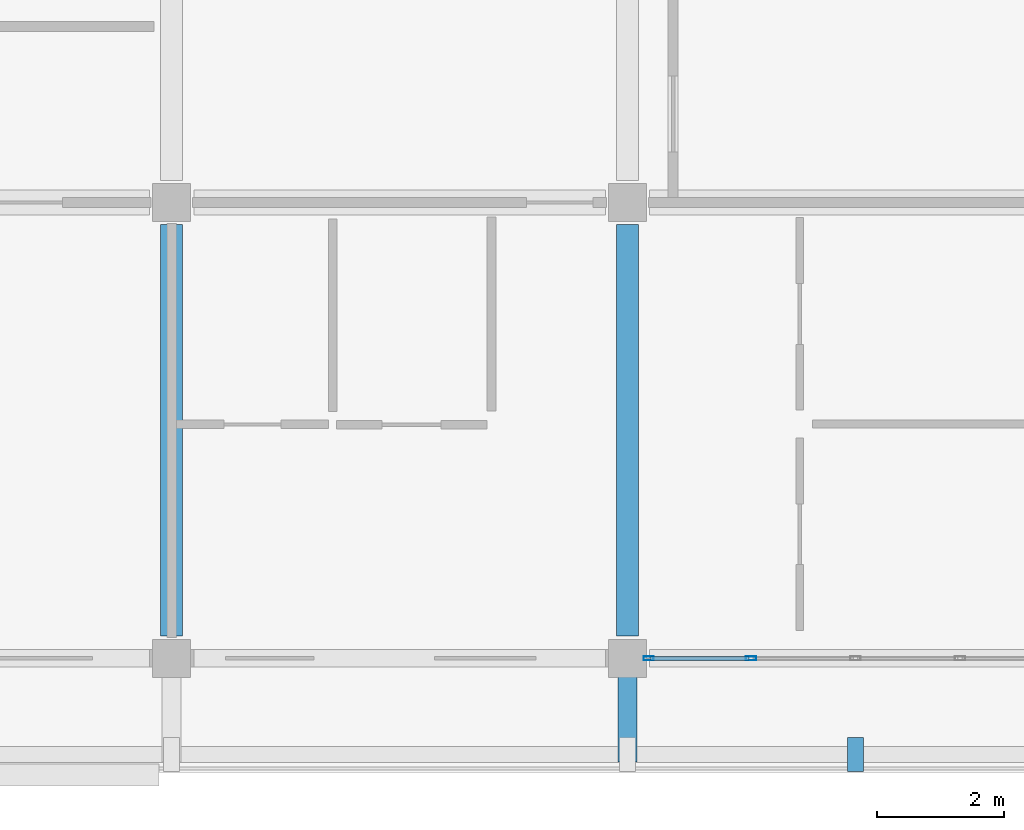
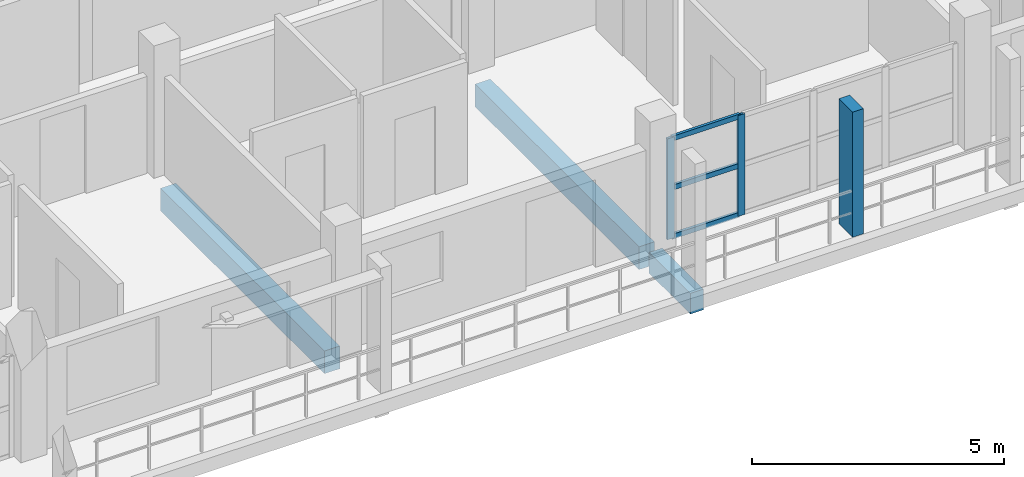
# One storey, part 79 of 157: 6 members, 3 beams, 1 element without a shape of its own.
"""IFC4 building model written with IfcOpenShell, lengths in metres."""

from ifc_helpers import new_model, si_unit, direction, frame, origin, origin_2d, place, context, subcontext, project, spatial, rectangle, hollow_rectangle, extrude, material, material_profile, profile_set, type_object, element, aggregate, save


model = new_model("IFC4")

# Units and contexts
model_context = context("Model", 3, precision=1e-05, world=origin(), true_north=direction((0.0, 1.0)))
body_context = subcontext(model_context, "Body", "Model", "MODEL_VIEW")
ifc_project = project(units=[si_unit("LENGTHUNIT", "METRE"), si_unit("AREAUNIT", "SQUARE_METRE"), si_unit("VOLUMEUNIT", "CUBIC_METRE"), si_unit("PLANEANGLEUNIT", "RADIAN"), si_unit("MASSUNIT", "GRAM", prefix="KILO")], contexts=[model_context])

# Site, building, storey
site_placement = place(None, origin())
site = spatial("IfcSite", under=ifc_project, at=site_placement, CompositionType="ELEMENT")
building_placement = place(site_placement, origin())
building = spatial("IfcBuilding", under=site, at=building_placement, Name="Suanplinth Sawtooth Commons", CompositionType="ELEMENT")
storey_placement = place(building_placement, frame((0.0, 0.0, 9.0)))
storey = spatial("IfcBuildingStorey", under=building, at=storey_placement, Name="L02", CompositionType="ELEMENT", Elevation=9.0)

# Beams
ifc_material_1 = material(Name="Precast concrete C40/50", Category="concrete")
ifc_material_profile_1 = material_profile(ifc_material_1, rectangle(XDim=0.35009765625, YDim=0.550048828125, at=origin_2d()), Name="PC-BM 350x550")
ifc_profile_set_1 = profile_set([ifc_material_profile_1], Name="Precast concrete C40/50")
beam_type_1 = type_object("IfcBeamType", Name="B-06", PredefinedType="BEAM", material=ifc_profile_set_1)
for number, where, z_axis, x_axis, name in (
    (1, (158.39990234375, 0.35009765625, -0.52490234375), (0.0, 1.0, 0.0), (-1.0, 0.0, 0.0), "BMY-L02-C-22-0"),
    (2, (165.60009765625, 0.35009765625, -0.52490234375), (0.0, 1.0, 0.0), (-1.0, 0.0, 0.0), "BMY-L02-C-23-0"),
):
    element("IfcBeam", number, at=place(storey_placement, frame(where, z_axis=z_axis, x_axis=x_axis)), inside=storey, type_object=beam_type_1, Name=name, PredefinedType="BEAM", context=body_context, shape_type="SweptSolid", body=[
        extrude(rectangle(XDim=0.35009765625, YDim=0.550048828125, at=origin_2d()), origin(), (0.0, 0.0, 1.0), 6.5),
    ])
ifc_material_profile_2 = material_profile(ifc_material_1, rectangle(XDim=0.300048828125, YDim=0.5, at=origin_2d()), Name="PC-BM 300x500")
ifc_profile_set_2 = profile_set([ifc_material_profile_2], Name="Precast concrete C40/50")
beam_type_2 = type_object("IfcBeamType", Name="B-07", PredefinedType="BEAM", material=ifc_profile_set_2)
beam_placement = place(storey_placement, frame((165.60009765625, 0.0, -0.429931640625), z_axis=(0.0, -1.0, 0.0), x_axis=(1.0, 0.0, 0.0)))
element("IfcBeam", 3, at=beam_placement, inside=storey, type_object=beam_type_2, Name="Balcony Outrigger L02-C-S-23", PredefinedType="BEAM", context=body_context, shape_type="SweptSolid", body=[
    extrude(rectangle(XDim=0.300048828125, YDim=0.5, at=origin_2d()), origin(), (0.0, 0.0, 1.0), 1.639892578125),
])

# Member
ifc_material_2 = material(Name="Pigmented precast concrete C40/50", Category="concrete")
ifc_material_profile_3 = material_profile(ifc_material_2, rectangle(XDim=0.25, YDim=0.5400390625, at=origin_2d()), Name="PC-FIN 250x540")
ifc_profile_set_3 = profile_set([ifc_material_profile_3], Name="Pigmented precast concrete C40/50")
member_type_1 = type_object("IfcMemberType", Name="M-11", PredefinedType="USERDEFINED", material=ifc_profile_set_3)
member_1_placement = place(storey_placement, frame((169.199951171875, -1.52001953125, 0.0), z_axis=(0.0, 0.0, 1.0), x_axis=(1.0, 0.0, 0.0)))
element("IfcMember", 4, at=member_1_placement, inside=storey, type_object=member_type_1, Name="Upright Solar Blade L02-C-S-07", ObjectType="SHADING FIN", PredefinedType="USERDEFINED", context=body_context, shape_type="SweptSolid", body=[
    extrude(rectangle(XDim=0.25, YDim=0.5400390625, at=origin_2d()), origin(), (0.0, 0.0, 1.0), 3.030029296875),
])

# Curtain wall, members
ifc_material_3 = material(Name="Anodized aluminium and low-E glazing", Category="aluminium")
curtain_wall_type = type_object("IfcCurtainWallType", Name="CW-06", PredefinedType="USERDEFINED", material=ifc_material_3)
curtain_wall_placement = place(storey_placement, origin())
curtain_wall = element("IfcCurtainWall", 5, at=curtain_wall_placement, inside=storey, type_object=curtain_wall_type, Name="Curtain Wall CW-L02-C-LOUNGE-23", ObjectType="CURTAIN WALL", PredefinedType="USERDEFINED")
ifc_material_4 = material(Name="Anodized aluminium 6063-T6", Category="aluminium")
ifc_material_profile_4 = material_profile(ifc_material_4, hollow_rectangle(XDim=0.06494140625, YDim=0.159912109375, WallThickness=0.00390625, at=origin_2d()), Name="ALU-MUL 65x160")
ifc_profile_set_4 = profile_set([ifc_material_profile_4], Name="Anodized aluminium 6063-T6")
member_type_2 = type_object("IfcMemberType", Name="M-13", PredefinedType="MULLION", material=ifc_profile_set_4)
member_2_placement = place(storey_placement, frame((165.9326171875, 0.0, 0.0), z_axis=(0.0, 0.0, 1.0), x_axis=(0.0, 1.0, 0.0)))
member_2 = element("IfcMember", 6, at=member_2_placement, type_object=member_type_2, Name="CW-06 mullion 1", PredefinedType="MULLION", context=body_context, shape_type="SweptSolid", body=[
    extrude(hollow_rectangle(XDim=0.06494140625, YDim=0.159912109375, WallThickness=0.00390625, at=origin_2d()), origin(), (0.0, 0.0, 1.0), 2.43994140625),
])
member_3_placement = place(storey_placement, frame((167.550048828125, 0.0, 0.0), z_axis=(0.0, 0.0, 1.0), x_axis=(0.0, 1.0, 0.0)))
member_3 = element("IfcMember", 7, at=member_3_placement, type_object=member_type_2, Name="CW-06 mullion 2", PredefinedType="MULLION", context=body_context, shape_type="SweptSolid", body=[
    extrude(hollow_rectangle(XDim=0.06494140625, YDim=0.159912109375, WallThickness=0.00390625, at=origin_2d()), origin(), (0.0, 0.0, 1.0), 2.43994140625),
])
ifc_material_profile_5 = material_profile(ifc_material_4, hollow_rectangle(XDim=0.06494140625, YDim=0.1201171875, WallThickness=0.00390625, at=origin_2d()), Name="ALU-TRN 65x120")
ifc_profile_set_5 = profile_set([ifc_material_profile_5], Name="Anodized aluminium 6063-T6")
member_type_3 = type_object("IfcMemberType", Name="M-15", PredefinedType="USERDEFINED", material=ifc_profile_set_5)
member_4_placement = place(storey_placement, frame((165.965087890625, 0.0, 0.032470703125), z_axis=(1.0, 0.0, 0.0), x_axis=(0.0, 1.0, 0.0)))
member_4 = element("IfcMember", 8, at=member_4_placement, type_object=member_type_3, Name="CW-06 transom 1.1", ObjectType="TRANSOM", PredefinedType="USERDEFINED", context=body_context, shape_type="SweptSolid", body=[
    extrude(hollow_rectangle(XDim=0.06494140625, YDim=0.1201171875, WallThickness=0.00390625, at=origin_2d()), origin(), (0.0, 0.0, 1.0), 1.552490234375),
])
member_5_placement = place(storey_placement, frame((165.965087890625, 0.0, 1.219970703125), z_axis=(1.0, 0.0, 0.0), x_axis=(0.0, 1.0, 0.0)))
member_5 = element("IfcMember", 9, at=member_5_placement, type_object=member_type_3, Name="CW-06 transom 1.2", ObjectType="TRANSOM", PredefinedType="USERDEFINED", context=body_context, shape_type="SweptSolid", body=[
    extrude(hollow_rectangle(XDim=0.06494140625, YDim=0.1201171875, WallThickness=0.00390625, at=origin_2d()), origin(), (0.0, 0.0, 1.0), 1.552490234375),
])
member_6_placement = place(storey_placement, frame((165.965087890625, 0.0, 2.407470703125), z_axis=(1.0, 0.0, 0.0), x_axis=(0.0, 1.0, 0.0)))
member_6 = element("IfcMember", 10, at=member_6_placement, type_object=member_type_3, Name="CW-06 transom 1.3", ObjectType="TRANSOM", PredefinedType="USERDEFINED", context=body_context, shape_type="SweptSolid", body=[
    extrude(hollow_rectangle(XDim=0.06494140625, YDim=0.1201171875, WallThickness=0.00390625, at=origin_2d()), origin(), (0.0, 0.0, 1.0), 1.552490234375),
])
aggregate(curtain_wall, [member_2, member_3, member_4, member_5, member_6])

save(model, "model.ifc")
